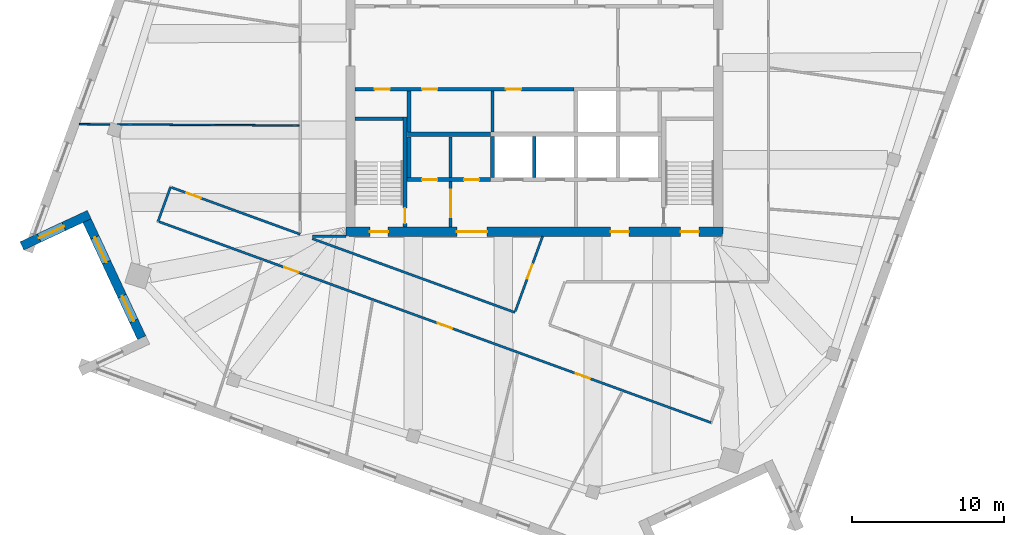
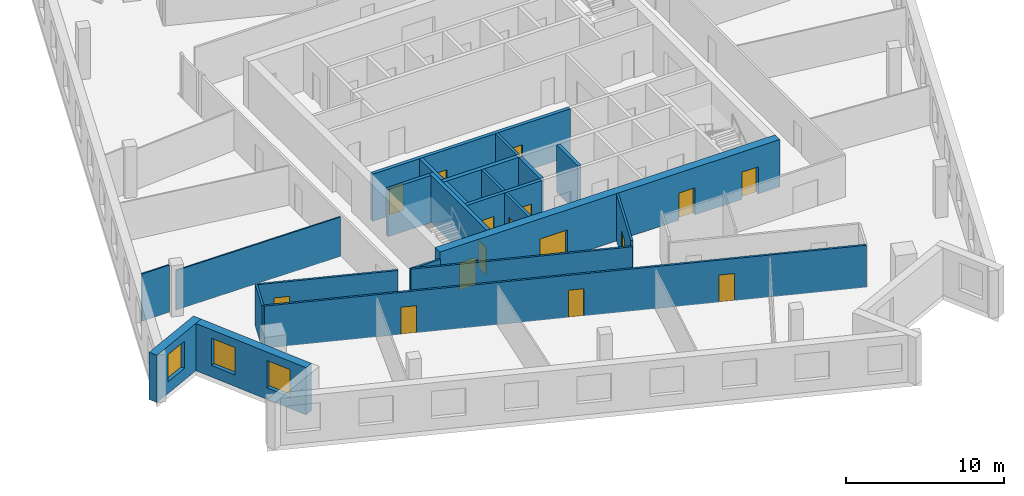
# One storey, part 6 of 13: 23 walls, 16 doors, 3 windows, 19 openings.
"""IFC4 building model written with IfcOpenShell, lengths in metres."""

from ifc_helpers import new_model, si_unit, direction, frame, frame_2d, origin, place, context, subcontext, project, spatial, rectangle, extrude, material, layer, layer_set, type_object, element, fill, save


model = new_model("IFC4")

# Units and contexts
model_context = context("Model", 3, precision=1e-05, world=origin(), true_north=direction((0.0, 1.0)))
body_context = subcontext(model_context, "Body", "Model", "MODEL_VIEW")
ifc_project = project(units=[si_unit("LENGTHUNIT", "METRE"), si_unit("AREAUNIT", "SQUARE_METRE"), si_unit("VOLUMEUNIT", "CUBIC_METRE"), si_unit("PLANEANGLEUNIT", "RADIAN"), si_unit("MASSUNIT", "GRAM", prefix="KILO")], contexts=[model_context])

# Site, building, storey
site_placement = place(None, origin())
site = spatial("IfcSite", under=ifc_project, at=site_placement, CompositionType="ELEMENT")
building_placement = place(site_placement, origin())
building = spatial("IfcBuilding", under=site, at=building_placement, Name="Dilmun Exchange Tower", CompositionType="ELEMENT")
storey_placement = place(building_placement, frame((0.0, 0.0, 304.5)))
storey = spatial("IfcBuildingStorey", under=building, at=storey_placement, Name="L72", CompositionType="ELEMENT", Elevation=304.5)

# Wall, opening, door
ifc_material_1 = material(Name="Concrete C40/50", Category="concrete")
ifc_layer_1 = layer(ifc_material_1, 0.199951171875)
ifc_layer_set_1 = layer_set([ifc_layer_1], Name="Concrete C40/50")
wall_type_1 = type_object("IfcWallType", Name="Core partition wall 200", PredefinedType="PARTITIONING", material=ifc_layer_set_1)
wall_1_placement = place(storey_placement, frame((-5.5, -11.794921875, 0.0), z_axis=(0.0, 0.0, 1.0), x_axis=(0.0, 1.0, 0.0)))
wall_1 = element("IfcWall", 1, at=wall_1_placement, inside=storey, type_object=wall_type_1, Name="L72 core partition wall 01", PredefinedType="PARTITIONING", context=body_context, shape_type="SweptSolid", body=[
    extrude(rectangle(XDim=2.989990234375, YDim=0.199951171875, at=frame_2d((1.4951171875, 0.0))), origin(), (0.0, 0.0, 1.0), 3.64990234375),
])
opening_1_placement = place(wall_1_placement, frame((0.657470703125, 0.0, 0.0)))
opening_1 = element("IfcOpeningElement", 2, at=opening_1_placement, cuts=wall_1, Name="Opening CD5", PredefinedType="OPENING", context=body_context, shape_type="SweptSolid", body=[
    extrude(rectangle(XDim=1.800048828125, YDim=2.10009765625, at=frame_2d((0.89990234375, 1.050048828125))), frame((0.0, 0.10986328125, 0.0), z_axis=(0.0, -1.0, 0.0), x_axis=(1.0, 0.0, 0.0)), (0.0, 0.0, 1.0), 0.219970703125),
])
ifc_material_2 = material(Name="Fire-rated steel door set", Category="steel")
door_type_1 = type_object("IfcDoorType", Name="Stair exit door 1800x2100", OperationType="SINGLE_SWING_LEFT", PredefinedType="DOOR", material=ifc_material_2)
door_1_placement = place(opening_1_placement, origin())
door_1 = element("IfcDoor", 3, at=door_1_placement, inside=storey, type_object=door_type_1, Name="L72 door Service lobby east", OperationType="SINGLE_SWING_LEFT", OverallHeight=2.10009765625, OverallWidth=1.800048828125, PredefinedType="DOOR", context=body_context, shape_type="SweptSolid", body=[
    extrude(rectangle(XDim=1.800048828125, YDim=2.10009765625, at=frame_2d((0.89990234375, 1.050048828125))), frame((0.0, 0.02490234375, 0.0), z_axis=(0.0, -1.0, 0.0), x_axis=(1.0, 0.0, 0.0)), (0.0, 0.0, 1.0), 0.050048828125),
])
fill(opening_1, door_1)

# Walls
for number, where, z_axis, x_axis, name in (
    (4, (-5.5, -8.544921875, 0.0), (0.0, 0.0, 1.0), (0.0, 1.0, 0.0), "L72 core partition wall 05"),
    (5, (-2.75, -5.544921875, 0.0), (0.0, 0.0, 1.0), (0.0, 1.0, 0.0), "L72 core partition wall 08"),
):
    element("IfcWall", number, at=place(storey_placement, frame(where, z_axis=z_axis, x_axis=x_axis)), inside=storey, type_object=wall_type_1, Name=name, PredefinedType="PARTITIONING", context=body_context, shape_type="SweptSolid", body=[
        extrude(rectangle(XDim=2.68994140625, YDim=0.199951171875, at=frame_2d((1.344970703125, 0.0))), origin(), (0.0, 0.0, 1.0), 3.64990234375),
    ])

# Wall, openings, doors
ifc_layer_2 = layer(ifc_material_1, 0.25)
ifc_layer_set_2 = layer_set([ifc_layer_2], Name="Concrete C40/50")
wall_type_2 = type_object("IfcWallType", Name="Core partition wall 250", PredefinedType="PARTITIONING", material=ifc_layer_set_2)
wall_2_placement = place(storey_placement, frame((-8.3701171875, -8.675048828125, 0.0), z_axis=(0.0, 0.0, 1.0), x_axis=(1.0, 0.0, 0.0)))
wall_2 = element("IfcWall", 6, at=wall_2_placement, inside=storey, type_object=wall_type_2, Name="L72 core partition wall 03", PredefinedType="PARTITIONING", context=body_context, shape_type="SweptSolid", body=[
    extrude(rectangle(XDim=5.490234375, YDim=0.25, at=frame_2d((2.7451171875, 0.0))), origin(), (0.0, 0.0, 1.0), 3.64990234375),
])
opening_2_placement = place(wall_2_placement, frame((0.9951171875, 0.0, 0.0)))
opening_2 = element("IfcOpeningElement", 7, at=opening_2_placement, cuts=wall_2, Name="Opening CD4", PredefinedType="OPENING", context=body_context, shape_type="SweptSolid", body=[
    extrude(rectangle(XDim=1.0, YDim=2.10009765625, at=frame_2d((0.5, 1.050048828125))), frame((0.0, 0.135009765625, 0.0), z_axis=(0.0, -1.0, 0.0), x_axis=(1.0, 0.0, 0.0)), (0.0, 0.0, 1.0), 0.27001953125),
])
opening_3_placement = place(wall_2_placement, frame((3.7451171875, 0.0, 0.0)))
opening_3 = element("IfcOpeningElement", 8, at=opening_3_placement, cuts=wall_2, Name="Opening CD4", PredefinedType="OPENING", context=body_context, shape_type="SweptSolid", body=[
    extrude(rectangle(XDim=1.0, YDim=2.10009765625, at=frame_2d((0.5, 1.050048828125))), frame((0.0, 0.135009765625, 0.0), z_axis=(0.0, -1.0, 0.0), x_axis=(1.0, 0.0, 0.0)), (0.0, 0.0, 1.0), 0.27001953125),
])
door_type_2 = type_object("IfcDoorType", Name="Core room door 1000x2100", OperationType="SINGLE_SWING_LEFT", PredefinedType="DOOR", material=ifc_material_2)
door_2_placement = place(opening_2_placement, origin())
door_2 = element("IfcDoor", 9, at=door_2_placement, inside=storey, type_object=door_type_2, Name="L72 door Male WC", OperationType="SINGLE_SWING_LEFT", OverallHeight=2.10009765625, OverallWidth=1.0, PredefinedType="DOOR", context=body_context, shape_type="SweptSolid", body=[
    extrude(rectangle(XDim=1.0, YDim=2.10009765625, at=frame_2d((0.5, 1.050048828125))), frame((0.0, 0.02490234375, 0.0), z_axis=(0.0, -1.0, 0.0), x_axis=(1.0, 0.0, 0.0)), (0.0, 0.0, 1.0), 0.050048828125),
])
fill(opening_2, door_2)
door_3_placement = place(opening_3_placement, origin())
door_3 = element("IfcDoor", 10, at=door_3_placement, inside=storey, type_object=door_type_2, Name="L72 door Female WC", OperationType="SINGLE_SWING_LEFT", OverallHeight=2.10009765625, OverallWidth=1.0, PredefinedType="DOOR", context=body_context, shape_type="SweptSolid", body=[
    extrude(rectangle(XDim=1.0, YDim=2.10009765625, at=frame_2d((0.5, 1.050048828125))), frame((0.0, 0.02490234375, 0.0), z_axis=(0.0, -1.0, 0.0), x_axis=(1.0, 0.0, 0.0)), (0.0, 0.0, 1.0), 0.050048828125),
])
fill(opening_3, door_3)

# Walls
for number, where, z_axis, x_axis, name in (
    (11, (-8.25, -8.544921875, 0.0), (0.0, 0.0, 1.0), (0.0, 1.0, 0.0), "L72 core partition wall 04"),
    (12, (-8.25, -5.544921875, 0.0), (0.0, 0.0, 1.0), (0.0, 1.0, 0.0), "L72 core partition wall 07"),
):
    element("IfcWall", number, at=place(storey_placement, frame(where, z_axis=z_axis, x_axis=x_axis)), inside=storey, type_object=wall_type_2, Name=name, PredefinedType="PARTITIONING", context=body_context, shape_type="SweptSolid", body=[
        extrude(rectangle(XDim=2.68994140625, YDim=0.25, at=frame_2d((1.344970703125, 0.0))), origin(), (0.0, 0.0, 1.0), 3.64990234375),
    ])

# Wall, openings, doors
wall_3_placement = place(storey_placement, frame((-11.794921875, -2.72509765625, 0.0), z_axis=(0.0, 0.0, 1.0), x_axis=(1.0, 0.0, 0.0)))
wall_3 = element("IfcWall", 13, at=wall_3_placement, inside=storey, type_object=wall_type_2, Name="L72 core partition wall 10", PredefinedType="PARTITIONING", context=body_context, shape_type="SweptSolid", body=[
    extrude(rectangle(XDim=14.4150390625, YDim=0.25, at=frame_2d((7.20751953125, 0.0))), origin(), (0.0, 0.0, 1.0), 3.64990234375),
])
opening_4_placement = place(wall_3_placement, frame((1.294921875, 0.0, 0.0)))
opening_4 = element("IfcOpeningElement", 14, at=opening_4_placement, cuts=wall_3, Name="Opening CD4", PredefinedType="OPENING", context=body_context, shape_type="SweptSolid", body=[
    extrude(rectangle(XDim=1.0, YDim=2.10009765625, at=frame_2d((0.5, 1.050048828125))), frame((0.0, 0.135009765625, 0.0), z_axis=(0.0, -1.0, 0.0), x_axis=(1.0, 0.0, 0.0)), (0.0, 0.0, 1.0), 0.27001953125),
])
opening_5_placement = place(wall_3_placement, frame((4.419921875, 0.0, 0.0)))
opening_5 = element("IfcOpeningElement", 15, at=opening_5_placement, cuts=wall_3, Name="Opening CD4", PredefinedType="OPENING", context=body_context, shape_type="SweptSolid", body=[
    extrude(rectangle(XDim=1.0, YDim=2.10009765625, at=frame_2d((0.5, 1.050048828125))), frame((0.0, 0.135009765625, 0.0), z_axis=(0.0, -1.0, 0.0), x_axis=(1.0, 0.0, 0.0)), (0.0, 0.0, 1.0), 0.27001953125),
])
opening_6_placement = place(wall_3_placement, frame((9.919921875, 0.0, 0.0)))
opening_6 = element("IfcOpeningElement", 16, at=opening_6_placement, cuts=wall_3, Name="Opening CD4", PredefinedType="OPENING", context=body_context, shape_type="SweptSolid", body=[
    extrude(rectangle(XDim=1.0, YDim=2.10009765625, at=frame_2d((0.5, 1.050048828125))), frame((0.0, 0.135009765625, 0.0), z_axis=(0.0, -1.0, 0.0), x_axis=(1.0, 0.0, 0.0)), (0.0, 0.0, 1.0), 0.27001953125),
])
door_4_placement = place(opening_4_placement, origin())
door_4 = element("IfcDoor", 17, at=door_4_placement, inside=storey, type_object=door_type_2, Name="L72 door Accessible WC", OperationType="SINGLE_SWING_LEFT", OverallHeight=2.10009765625, OverallWidth=1.0, PredefinedType="DOOR", context=body_context, shape_type="SweptSolid", body=[
    extrude(rectangle(XDim=1.0, YDim=2.10009765625, at=frame_2d((0.5, 1.050048828125))), frame((0.0, 0.02490234375, 0.0), z_axis=(0.0, -1.0, 0.0), x_axis=(1.0, 0.0, 0.0)), (0.0, 0.0, 1.0), 0.050048828125),
])
fill(opening_4, door_4)
door_5_placement = place(opening_5_placement, origin())
door_5 = element("IfcDoor", 18, at=door_5_placement, inside=storey, type_object=door_type_2, Name="L72 door Mechanical room", OperationType="SINGLE_SWING_LEFT", OverallHeight=2.10009765625, OverallWidth=1.0, PredefinedType="DOOR", context=body_context, shape_type="SweptSolid", body=[
    extrude(rectangle(XDim=1.0, YDim=2.10009765625, at=frame_2d((0.5, 1.050048828125))), frame((0.0, 0.02490234375, 0.0), z_axis=(0.0, -1.0, 0.0), x_axis=(1.0, 0.0, 0.0)), (0.0, 0.0, 1.0), 0.050048828125),
])
fill(opening_5, door_5)
door_6_placement = place(opening_6_placement, origin())
door_6 = element("IfcDoor", 19, at=door_6_placement, inside=storey, type_object=door_type_2, Name="L72 door Tenant services room", OperationType="SINGLE_SWING_LEFT", OverallHeight=2.10009765625, OverallWidth=1.0, PredefinedType="DOOR", context=body_context, shape_type="SweptSolid", body=[
    extrude(rectangle(XDim=1.0, YDim=2.10009765625, at=frame_2d((0.5, 1.050048828125))), frame((0.0, 0.02490234375, 0.0), z_axis=(0.0, -1.0, 0.0), x_axis=(1.0, 0.0, 0.0)), (0.0, 0.0, 1.0), 0.050048828125),
])
fill(opening_6, door_6)

# Wall
ifc_layer_3 = layer(ifc_material_1, 0.300048828125)
ifc_layer_set_3 = layer_set([ifc_layer_3], Name="Concrete C40/50")
wall_type_3 = type_object("IfcWallType", Name="Core partition wall 300", PredefinedType="PARTITIONING", material=ifc_layer_set_3)
wall_4_placement = place(storey_placement, frame((-8.35009765625, -5.699951171875, 0.0), z_axis=(0.0, 0.0, 1.0), x_axis=(1.0, 0.0, 0.0)))
element("IfcWall", 20, at=wall_4_placement, inside=storey, type_object=wall_type_3, Name="L72 core partition wall 06", PredefinedType="PARTITIONING", context=body_context, shape_type="SweptSolid", body=[
    extrude(rectangle(XDim=5.47021484375, YDim=0.300048828125, at=frame_2d((2.735107421875, 0.0))), origin(), (0.0, 0.0, 1.0), 3.64990234375),
])

# Wall, openings, doors
ifc_material_3 = material(Name="Concrete C50/60", Category="concrete")
ifc_layer_4 = layer(ifc_material_3, 0.60009765625)
ifc_layer_set_4 = layer_set([ifc_layer_4], Name="Concrete C50/60")
wall_type_4 = type_object("IfcWallType", Name="Core shear wall 600 Concrete C50/60", PredefinedType="SHEAR", material=ifc_layer_set_4)
wall_5_placement = place(storey_placement, frame((-12.39990234375, -12.10009765625, 0.0), z_axis=(0.0, 0.0, 1.0), x_axis=(1.0, 0.0, 0.0)))
wall_5 = element("IfcWall", 21, at=wall_5_placement, inside=storey, type_object=wall_type_4, Name="L72 core shear wall S", PredefinedType="SHEAR", context=body_context, shape_type="SweptSolid", body=[
    extrude(rectangle(XDim=24.7998046875, YDim=0.60009765625, at=frame_2d((12.39990234375, 0.0))), origin(), (0.0, 0.0, 1.0), 3.64990234375),
])
opening_7_placement = place(wall_5_placement, frame((7.300048828125, 0.0, 0.0)))
opening_7 = element("IfcOpeningElement", 22, at=opening_7_placement, cuts=wall_5, Name="Opening CD2", PredefinedType="OPENING", context=body_context, shape_type="SweptSolid", body=[
    extrude(rectangle(XDim=2.0, YDim=2.10009765625, at=frame_2d((1.0, 1.050048828125))), frame((0.0, 0.31005859375, 0.0), z_axis=(0.0, -1.0, 0.0), x_axis=(1.0, 0.0, 0.0)), (0.0, 0.0, 1.0), 0.6201171875),
])
opening_8_placement = place(wall_5_placement, frame((17.425048828125, 0.0, 0.0)))
opening_8 = element("IfcOpeningElement", 23, at=opening_8_placement, cuts=wall_5, Name="Opening CD3", PredefinedType="OPENING", context=body_context, shape_type="SweptSolid", body=[
    extrude(rectangle(XDim=1.199951171875, YDim=2.10009765625, at=frame_2d((0.60009765625, 1.050048828125))), frame((0.0, 0.31005859375, 0.0), z_axis=(0.0, -1.0, 0.0), x_axis=(1.0, 0.0, 0.0)), (0.0, 0.0, 1.0), 0.6201171875),
])
opening_9_placement = place(wall_5_placement, frame((1.574951171875, 0.0, 0.0)))
opening_9 = element("IfcOpeningElement", 24, at=opening_9_placement, cuts=wall_5, Name="Opening CD3", PredefinedType="OPENING", context=body_context, shape_type="SweptSolid", body=[
    extrude(rectangle(XDim=1.199951171875, YDim=2.10009765625, at=frame_2d((0.60009765625, 1.050048828125))), frame((0.0, 0.31005859375, 0.0), z_axis=(0.0, -1.0, 0.0), x_axis=(1.0, 0.0, 0.0)), (0.0, 0.0, 1.0), 0.6201171875),
])
opening_10_placement = place(wall_5_placement, frame((22.02490234375, 0.0, 0.0)))
opening_10 = element("IfcOpeningElement", 25, at=opening_10_placement, cuts=wall_5, Name="Opening CD3", PredefinedType="OPENING", context=body_context, shape_type="SweptSolid", body=[
    extrude(rectangle(XDim=1.199951171875, YDim=2.10009765625, at=frame_2d((0.60009765625, 1.050048828125))), frame((0.0, 0.31005859375, 0.0), z_axis=(0.0, -1.0, 0.0), x_axis=(1.0, 0.0, 0.0)), (0.0, 0.0, 1.0), 0.6201171875),
])
door_type_3 = type_object("IfcDoorType", Name="Core service door 2000x2100", OperationType="DOUBLE_DOOR_DOUBLE_SWING", PredefinedType="DOOR", material=ifc_material_2)
door_7_placement = place(opening_7_placement, origin())
door_7 = element("IfcDoor", 26, at=door_7_placement, inside=storey, type_object=door_type_3, Name="L72 door South service lobby", OperationType="SINGLE_SWING_LEFT", OverallHeight=2.10009765625, OverallWidth=2.0, PredefinedType="DOOR", context=body_context, shape_type="SweptSolid", body=[
    extrude(rectangle(XDim=2.0, YDim=2.10009765625, at=frame_2d((1.0, 1.050048828125))), frame((0.0, 0.02490234375, 0.0), z_axis=(0.0, -1.0, 0.0), x_axis=(1.0, 0.0, 0.0)), (0.0, 0.0, 1.0), 0.050048828125),
])
fill(opening_7, door_7)
door_type_4 = type_object("IfcDoorType", Name="Stair exit door 1200x2100", OperationType="SINGLE_SWING_LEFT", PredefinedType="DOOR", material=ifc_material_2)
door_8_placement = place(opening_8_placement, origin())
door_8 = element("IfcDoor", 27, at=door_8_placement, inside=storey, type_object=door_type_4, Name="L72 door Fire-fighting lobby", OperationType="SINGLE_SWING_LEFT", OverallHeight=2.10009765625, OverallWidth=1.199951171875, PredefinedType="DOOR", context=body_context, shape_type="SweptSolid", body=[
    extrude(rectangle(XDim=1.199951171875, YDim=2.10009765625, at=frame_2d((0.60009765625, 1.050048828125))), frame((0.0, 0.02490234375, 0.0), z_axis=(0.0, -1.0, 0.0), x_axis=(1.0, 0.0, 0.0)), (0.0, 0.0, 1.0), 0.050048828125),
])
fill(opening_8, door_8)
door_9_placement = place(opening_9_placement, origin())
door_9 = element("IfcDoor", 28, at=door_9_placement, inside=storey, type_object=door_type_4, Name="L72 door Stair ST2", OperationType="SINGLE_SWING_LEFT", OverallHeight=2.10009765625, OverallWidth=1.199951171875, PredefinedType="DOOR", context=body_context, shape_type="SweptSolid", body=[
    extrude(rectangle(XDim=1.199951171875, YDim=2.10009765625, at=frame_2d((0.60009765625, 1.050048828125))), frame((0.0, 0.02490234375, 0.0), z_axis=(0.0, -1.0, 0.0), x_axis=(1.0, 0.0, 0.0)), (0.0, 0.0, 1.0), 0.050048828125),
])
fill(opening_9, door_9)
door_10_placement = place(opening_10_placement, origin())
door_10 = element("IfcDoor", 29, at=door_10_placement, inside=storey, type_object=door_type_4, Name="L72 door Stair ST3", OperationType="SINGLE_SWING_LEFT", OverallHeight=2.10009765625, OverallWidth=1.199951171875, PredefinedType="DOOR", context=body_context, shape_type="SweptSolid", body=[
    extrude(rectangle(XDim=1.199951171875, YDim=2.10009765625, at=frame_2d((0.60009765625, 1.050048828125))), frame((0.0, 0.02490234375, 0.0), z_axis=(0.0, -1.0, 0.0), x_axis=(1.0, 0.0, 0.0)), (0.0, 0.0, 1.0), 0.050048828125),
])
fill(opening_10, door_10)

# Wall
ifc_material_4 = material(Name="Corridor wall 150")
ifc_layer_5 = layer(ifc_material_4, 0.14990234375)
ifc_layer_set_5 = layer_set([ifc_layer_5], Name="Corridor wall 150")
wall_type_5 = type_object("IfcWallType", Name="Corridor wall 150", PredefinedType="PARTITIONING", material=ifc_layer_set_5)
wall_6_placement = place(storey_placement, frame((-24.75, -11.4189453125, 0.0), z_axis=(0.0, 0.0, 1.0), x_axis=(0.342143298706, 0.939647786753, 0.0)))
element("IfcWall", 30, at=wall_6_placement, inside=storey, type_object=wall_type_5, Name="Corridor wall", PredefinedType="PARTITIONING", context=body_context, shape_type="SweptSolid", body=[
    extrude(rectangle(XDim=2.399658203125, YDim=0.14990234375, at=frame_2d((1.19970703125, 0.0))), origin(), (0.0, 0.0, 1.0), 3.25),
])

# Wall, openings, doors
wall_7_placement = place(storey_placement, frame((-24.679443359375, -11.444580078125, 0.0), z_axis=(0.0, 0.0, 1.0), x_axis=(0.939685239834, -0.342040421645, 0.0)))
wall_7 = element("IfcWall", 31, at=wall_7_placement, inside=storey, type_object=wall_type_5, Name="Corridor wall", PredefinedType="PARTITIONING", context=body_context, shape_type="SweptSolid", body=[
    extrude(rectangle(XDim=38.628173828125, YDim=0.14990234375, at=frame_2d((19.31396484375, 0.0))), origin(), (0.0, 0.0, 1.0), 3.25),
])
opening_11_placement = place(wall_7_placement, frame((8.764404296875, 0.0, 0.0)))
opening_11 = element("IfcOpeningElement", 32, at=opening_11_placement, cuts=wall_7, Name="Opening TF72-D05", PredefinedType="OPENING", context=body_context, shape_type="SweptSolid", body=[
    extrude(rectangle(XDim=1.0, YDim=2.10009765625, at=frame_2d((0.5, 1.050048828125))), frame((0.0, 0.0849609375, 0.0), z_axis=(0.0, -1.0, 0.0), x_axis=(1.0, 0.0, 0.0)), (0.0, 0.0, 1.0), 0.169921875),
])
opening_12_placement = place(wall_7_placement, frame((19.5029296875, 0.0, 0.0)))
opening_12 = element("IfcOpeningElement", 33, at=opening_12_placement, cuts=wall_7, Name="Opening TF72-D08", PredefinedType="OPENING", context=body_context, shape_type="SweptSolid", body=[
    extrude(rectangle(XDim=1.0, YDim=2.10009765625, at=frame_2d((0.5, 1.050048828125))), frame((0.0, 0.0849609375, 0.0), z_axis=(0.0, -1.0, 0.0), x_axis=(1.0, 0.0, 0.0)), (0.0, 0.0, 1.0), 0.169921875),
])
opening_13_placement = place(wall_7_placement, frame((29.162841796875, 0.0, 0.0)))
opening_13 = element("IfcOpeningElement", 34, at=opening_13_placement, cuts=wall_7, Name="Opening TF72-D11", PredefinedType="OPENING", context=body_context, shape_type="SweptSolid", body=[
    extrude(rectangle(XDim=1.0, YDim=2.10009765625, at=frame_2d((0.5, 1.050048828125))), frame((0.0, 0.0849609375, 0.0), z_axis=(0.0, -1.0, 0.0), x_axis=(1.0, 0.0, 0.0)), (0.0, 0.0, 1.0), 0.169921875),
])
ifc_material_5 = material(Name="Fire door 1000 x 2100")
door_type_5 = type_object("IfcDoorType", Name="Fire door 1000 x 2100", OperationType="NOTDEFINED", PredefinedType="DOOR", material=ifc_material_5)
door_11_placement = place(opening_11_placement, frame((1.0, 0.0, 0.0), z_axis=(0.0, 0.0, 1.0), x_axis=(-1.0, 0.0, 0.0)))
door_11 = element("IfcDoor", 35, at=door_11_placement, inside=storey, type_object=door_type_5, Name="Door TF72-D05", OperationType="SINGLE_SWING_LEFT", OverallHeight=2.10009765625, OverallWidth=1.0, PredefinedType="DOOR", context=body_context, shape_type="SweptSolid", body=[
    extrude(rectangle(XDim=1.0, YDim=2.10009765625, at=frame_2d((0.5, 1.050048828125))), frame((0.0, 0.02490234375, 0.0), z_axis=(0.0, -1.0, 0.0), x_axis=(1.0, 0.0, 0.0)), (0.0, 0.0, 1.0), 0.050048828125),
])
fill(opening_11, door_11)
door_12_placement = place(opening_12_placement, frame((1.0, 0.0, 0.0), z_axis=(0.0, 0.0, 1.0), x_axis=(-1.0, 0.0, 0.0)))
door_12 = element("IfcDoor", 36, at=door_12_placement, inside=storey, type_object=door_type_5, Name="Door TF72-D08", OperationType="SINGLE_SWING_LEFT", OverallHeight=2.10009765625, OverallWidth=1.0, PredefinedType="DOOR", context=body_context, shape_type="SweptSolid", body=[
    extrude(rectangle(XDim=1.0, YDim=2.10009765625, at=frame_2d((0.5, 1.050048828125))), frame((0.0, 0.02490234375, 0.0), z_axis=(0.0, -1.0, 0.0), x_axis=(1.0, 0.0, 0.0)), (0.0, 0.0, 1.0), 0.050048828125),
])
fill(opening_12, door_12)
door_13_placement = place(opening_13_placement, frame((1.0, 0.0, 0.0), z_axis=(0.0, 0.0, 1.0), x_axis=(-1.0, 0.0, 0.0)))
door_13 = element("IfcDoor", 37, at=door_13_placement, inside=storey, type_object=door_type_5, Name="Door TF72-D11", OperationType="SINGLE_SWING_RIGHT", OverallHeight=2.10009765625, OverallWidth=1.0, PredefinedType="DOOR", context=body_context, shape_type="SweptSolid", body=[
    extrude(rectangle(XDim=1.0, YDim=2.10009765625, at=frame_2d((0.5, 1.050048828125))), frame((0.0, 0.02490234375, 0.0), z_axis=(0.0, -1.0, 0.0), x_axis=(1.0, 0.0, 0.0)), (0.0, 0.0, 1.0), 0.050048828125),
])
fill(opening_13, door_13)

# Wall, opening, door
wall_8_placement = place(storey_placement, frame((-23.8583984375, -9.189697265625, 0.0), z_axis=(0.0, 0.0, 1.0), x_axis=(0.939702320302, -0.341993492948, 0.0)))
wall_8 = element("IfcWall", 38, at=wall_8_placement, inside=storey, type_object=wall_type_5, Name="Corridor wall", PredefinedType="PARTITIONING", context=body_context, shape_type="SweptSolid", body=[
    extrude(rectangle(XDim=9.001220703125, YDim=0.14990234375, at=frame_2d((4.50048828125, 0.0))), origin(), (0.0, 0.0, 1.0), 3.25),
])
opening_14_placement = place(wall_8_placement, frame((1.050048828125, 0.0, 0.0)))
opening_14 = element("IfcOpeningElement", 39, at=opening_14_placement, cuts=wall_8, Name="Opening TF72-D02", PredefinedType="OPENING", context=body_context, shape_type="SweptSolid", body=[
    extrude(rectangle(XDim=1.0, YDim=2.10009765625, at=frame_2d((0.5, 1.050048828125))), frame((0.0, 0.0849609375, 0.0), z_axis=(0.0, -1.0, 0.0), x_axis=(1.0, 0.0, 0.0)), (0.0, 0.0, 1.0), 0.169921875),
])
door_14_placement = place(opening_14_placement, origin())
door_14 = element("IfcDoor", 40, at=door_14_placement, inside=storey, type_object=door_type_5, Name="Door TF72-D02", OperationType="SINGLE_SWING_LEFT", OverallHeight=2.10009765625, OverallWidth=1.0, PredefinedType="DOOR", context=body_context, shape_type="SweptSolid", body=[
    extrude(rectangle(XDim=1.0, YDim=2.10009765625, at=frame_2d((0.5, 1.050048828125))), frame((0.0, 0.02490234375, 0.0), z_axis=(0.0, -1.0, 0.0), x_axis=(1.0, 0.0, 0.0)), (0.0, 0.0, 1.0), 0.050048828125),
])
fill(opening_14, door_14)

# Walls
wall_9_placement = place(storey_placement, frame((-14.60400390625, -12.55810546875, 0.0), z_axis=(0.0, 0.0, 1.0), x_axis=(0.93968732693, -0.342034687724, 0.0)))
element("IfcWall", 41, at=wall_9_placement, inside=storey, type_object=wall_type_5, Name="Corridor wall", PredefinedType="PARTITIONING", context=body_context, shape_type="SweptSolid", body=[
    extrude(rectangle(XDim=14.182373046875, YDim=0.14990234375, at=frame_2d((7.09130859375, 0.0))), origin(), (0.0, 0.0, 1.0), 3.25),
])
wall_10_placement = place(storey_placement, frame((-14.575927734375, -12.39990234375, 0.0), z_axis=(0.0, 0.0, 1.0), x_axis=(1.0, 0.0, 0.0)))
element("IfcWall", 42, at=wall_10_placement, inside=storey, type_object=wall_type_5, Name="Corridor wall", PredefinedType="PARTITIONING", context=body_context, shape_type="SweptSolid", body=[
    extrude(rectangle(XDim=2.176025390625, YDim=0.14990234375, at=frame_2d((1.087890625, 0.0))), origin(), (0.0, 0.0, 1.0), 3.1298828125),
])

# Wall, opening, door
wall_11_placement = place(storey_placement, frame((-1.251220703125, -17.33837890625, 0.0), z_axis=(0.0, 0.0, 1.0), x_axis=(0.341963126629, 0.939713371207, 0.0)))
wall_11 = element("IfcWall", 43, at=wall_11_placement, inside=storey, type_object=wall_type_5, Name="Corridor wall", PredefinedType="PARTITIONING", context=body_context, shape_type="SweptSolid", body=[
    extrude(rectangle(XDim=5.25537109375, YDim=0.14990234375, at=frame_2d((2.627685546875, 0.0))), origin(), (0.0, 0.0, 1.0), 3.64990234375),
])
opening_15_placement = place(wall_11_placement, frame((2.300048828125, 0.0, 0.0)))
opening_15 = element("IfcOpeningElement", 44, at=opening_15_placement, cuts=wall_11, Name="Opening TF72-D09", PredefinedType="OPENING", context=body_context, shape_type="SweptSolid", body=[
    extrude(rectangle(XDim=1.0, YDim=2.10009765625, at=frame_2d((0.5, 1.050048828125))), frame((0.0, 0.0849609375, 0.0), z_axis=(0.0, -1.0, 0.0), x_axis=(1.0, 0.0, 0.0)), (0.0, 0.0, 1.0), 0.169921875),
])
door_15_placement = place(opening_15_placement, origin())
door_15 = element("IfcDoor", 45, at=door_15_placement, inside=storey, type_object=door_type_5, Name="Door TF72-D09", OperationType="SINGLE_SWING_RIGHT", OverallHeight=2.10009765625, OverallWidth=1.0, PredefinedType="DOOR", context=body_context, shape_type="SweptSolid", body=[
    extrude(rectangle(XDim=1.0, YDim=2.10009765625, at=frame_2d((0.5, 1.050048828125))), frame((0.0, 0.02490234375, 0.0), z_axis=(0.0, -1.0, 0.0), x_axis=(1.0, 0.0, 0.0)), (0.0, 0.0, 1.0), 0.050048828125),
])
fill(opening_15, door_15)

# Walls
ifc_layer_6 = layer(ifc_material_1, 0.25)
ifc_layer_set_6 = layer_set([ifc_layer_6], Name="Concrete C40/50")
wall_type_6 = type_object("IfcWallType", Name="Lift shaft wall 250", PredefinedType="SOLIDWALL", material=ifc_layer_set_6)
for number, where, z_axis, x_axis, name in (
    (46, (-2.75, -8.550048828125, 0.0), (0.0, 0.0, 1.0), (0.0, 1.0, 0.0), "L72 lift shaft divider S22"),
    (47, (0.0, -8.550048828125, 0.0), (0.0, 0.0, 1.0), (0.0, 1.0, 0.0), "L72 lift shaft divider S23"),
):
    element("IfcWall", number, at=place(storey_placement, frame(where, z_axis=z_axis, x_axis=x_axis)), inside=storey, type_object=wall_type_6, Name=name, PredefinedType="SOLIDWALL", context=body_context, shape_type="SweptSolid", body=[
        extrude(rectangle(XDim=2.699951171875, YDim=0.25, at=frame_2d((1.35009765625, 0.0))), origin(), (0.0, 0.0, 1.0), 3.64990234375),
    ])
ifc_material_6 = material(Name="Partition 100")
ifc_layer_7 = layer(ifc_material_6, 0.10009765625)
ifc_layer_set_7 = layer_set([ifc_layer_7], Name="Partition 100")
wall_type_7 = type_object("IfcWallType", Name="Partition 100", PredefinedType="PARTITIONING", material=ifc_layer_set_7)
wall_12_placement = place(storey_placement, frame((-29.922119140625, -5.02783203125, 0.0), z_axis=(0.0, 0.0, 1.0), x_axis=(0.999981545668, -0.006075222027, 0.0)))
element("IfcWall", 48, at=wall_12_placement, inside=storey, type_object=wall_type_7, Name="Partition", PredefinedType="PARTITIONING", context=body_context, shape_type="SweptSolid", body=[
    extrude(rectangle(XDim=2.00927734375, YDim=0.10009765625, at=frame_2d((1.004638671875, 0.0))), origin(), (0.0, 0.0, 1.0), 3.64990234375),
])
wall_13_placement = place(storey_placement, frame((-27.428466796875, -5.04296875, 0.0), z_axis=(0.0, 0.0, 1.0), x_axis=(0.999981601259, -0.006066064861, 0.0)))
element("IfcWall", 49, at=wall_13_placement, inside=storey, type_object=wall_type_7, Name="Partition", PredefinedType="PARTITIONING", context=body_context, shape_type="SweptSolid", body=[
    extrude(rectangle(XDim=11.953369140625, YDim=0.10009765625, at=frame_2d((5.9765625, 0.0))), origin(), (0.0, 0.0, 1.0), 3.050048828125),
])

# Wall, opening, window
ifc_material_7 = material(Name="Precast concrete C50/60", Category="concrete")
ifc_layer_8 = layer(ifc_material_7, 0.60009765625)
ifc_layer_set_8 = layer_set([ifc_layer_8], Name="Precast concrete C50/60")
wall_type_8 = type_object("IfcWallType", Name="Precast stone-clad wall 600", PredefinedType="STANDARD", material=ifc_layer_set_8)
wall_14_placement = place(storey_placement, frame((-33.703369140625, -13.036376953125, 0.0), z_axis=(0.0, 0.0, 1.0), x_axis=(0.906306938878, 0.422620080618, 0.0)))
wall_14 = element("IfcWall", 50, at=wall_14_placement, inside=storey, type_object=wall_type_8, Name="Facade wall L72-04", PredefinedType="STANDARD", context=body_context, shape_type="SweptSolid", body=[
    extrude(rectangle(XDim=4.885498046875, YDim=0.60009765625, at=frame_2d((2.44287109375, 0.0))), origin(), (0.0, 0.0, 1.0), 3.64990234375),
])
opening_16_placement = place(wall_14_placement, frame((1.242919921875, 0.0, 0.89990234375)))
opening_16 = element("IfcOpeningElement", 51, at=opening_16_placement, cuts=wall_14, Name="Opening W180-210", PredefinedType="OPENING", context=body_context, shape_type="SweptSolid", body=[
    extrude(rectangle(XDim=1.800048828125, YDim=2.10009765625, at=frame_2d((0.89990234375, 1.050048828125))), frame((0.0, 0.31005859375, 0.0), z_axis=(0.0, -1.0, 0.0), x_axis=(1.0, 0.0, 0.0)), (0.0, 0.0, 1.0), 0.6201171875),
])
ifc_material_8 = material(Name="Clear low-emissivity glass in aluminium frame", Category="aluminium")
window_type = type_object("IfcWindowType", Name="Punched window 1800 x 2100", PartitioningType="DOUBLE_PANEL_VERTICAL", PredefinedType="WINDOW", material=ifc_material_8)
window_1_placement = place(opening_16_placement, origin())
window_1 = element("IfcWindow", 52, at=window_1_placement, inside=storey, type_object=window_type, Name="Window 5.1", OverallHeight=2.10009765625, OverallWidth=1.800048828125, PartitioningType="SINGLE_PANEL", PredefinedType="WINDOW", context=body_context, shape_type="SweptSolid", body=[
    extrude(rectangle(XDim=1.800048828125, YDim=2.10009765625, at=frame_2d((0.89990234375, 1.050048828125))), frame((0.0, 0.030029296875, 0.0), z_axis=(0.0, -1.0, 0.0), x_axis=(1.0, 0.0, 0.0)), (0.0, 0.0, 1.0), 0.06005859375),
])
fill(opening_16, window_1)

# Wall, openings, windows
wall_15_placement = place(storey_placement, frame((-29.420654296875, -11.370361328125, 0.0), z_axis=(0.0, 0.0, 1.0), x_axis=(0.42259769246, -0.906317378365, 0.0)))
wall_15 = element("IfcWall", 53, at=wall_15_placement, inside=storey, type_object=wall_type_8, Name="Facade wall L72-05", PredefinedType="STANDARD", context=body_context, shape_type="SweptSolid", body=[
    extrude(rectangle(XDim=8.5, YDim=0.60009765625, at=frame_2d((4.25, 0.0))), origin(), (0.0, 0.0, 1.0), 3.64990234375),
])
opening_17_placement = place(wall_15_placement, frame((1.22509765625, 0.0, 0.89990234375)))
opening_17 = element("IfcOpeningElement", 54, at=opening_17_placement, cuts=wall_15, Name="Opening W180-210", PredefinedType="OPENING", context=body_context, shape_type="SweptSolid", body=[
    extrude(rectangle(XDim=1.800048828125, YDim=2.10009765625, at=frame_2d((0.89990234375, 1.050048828125))), frame((0.0, 0.31005859375, 0.0), z_axis=(0.0, -1.0, 0.0), x_axis=(1.0, 0.0, 0.0)), (0.0, 0.0, 1.0), 0.6201171875),
])
opening_18_placement = place(wall_15_placement, frame((5.47509765625, 0.0, 0.89990234375)))
opening_18 = element("IfcOpeningElement", 55, at=opening_18_placement, cuts=wall_15, Name="Opening W180-210", PredefinedType="OPENING", context=body_context, shape_type="SweptSolid", body=[
    extrude(rectangle(XDim=1.800048828125, YDim=2.10009765625, at=frame_2d((0.89990234375, 1.050048828125))), frame((0.0, 0.31005859375, 0.0), z_axis=(0.0, -1.0, 0.0), x_axis=(1.0, 0.0, 0.0)), (0.0, 0.0, 1.0), 0.6201171875),
])
window_2_placement = place(opening_17_placement, origin())
window_2 = element("IfcWindow", 56, at=window_2_placement, inside=storey, type_object=window_type, Name="Window 6.1", OverallHeight=2.10009765625, OverallWidth=1.800048828125, PartitioningType="SINGLE_PANEL", PredefinedType="WINDOW", context=body_context, shape_type="SweptSolid", body=[
    extrude(rectangle(XDim=1.800048828125, YDim=2.10009765625, at=frame_2d((0.89990234375, 1.050048828125))), frame((0.0, 0.030029296875, 0.0), z_axis=(0.0, -1.0, 0.0), x_axis=(1.0, 0.0, 0.0)), (0.0, 0.0, 1.0), 0.06005859375),
])
fill(opening_17, window_2)
window_3_placement = place(opening_18_placement, origin())
window_3 = element("IfcWindow", 57, at=window_3_placement, inside=storey, type_object=window_type, Name="Window 6.2", OverallHeight=2.10009765625, OverallWidth=1.800048828125, PartitioningType="SINGLE_PANEL", PredefinedType="WINDOW", context=body_context, shape_type="SweptSolid", body=[
    extrude(rectangle(XDim=1.800048828125, YDim=2.10009765625, at=frame_2d((0.89990234375, 1.050048828125))), frame((0.0, 0.030029296875, 0.0), z_axis=(0.0, -1.0, 0.0), x_axis=(1.0, 0.0, 0.0)), (0.0, 0.0, 1.0), 0.06005859375),
])
fill(opening_18, window_3)

# Wall
ifc_layer_9 = layer(ifc_material_1, 0.25)
ifc_layer_set_9 = layer_set([ifc_layer_9], Name="Concrete C40/50")
wall_type_9 = type_object("IfcWallType", Name="Stair end wall 250", PredefinedType="SOLIDWALL", material=ifc_layer_set_9)
wall_16_placement = place(storey_placement, frame((-8.64990234375, -4.675048828125, 0.0), z_axis=(0.0, 0.0, 1.0), x_axis=(-1.0, 0.0, 0.0)))
element("IfcWall", 58, at=wall_16_placement, inside=storey, type_object=wall_type_9, Name="L72 ST2 far wall", PredefinedType="SOLIDWALL", context=body_context, shape_type="SweptSolid", body=[
    extrude(rectangle(XDim=3.150146484375, YDim=0.25, at=frame_2d((1.5751953125, 0.0))), origin(), (0.0, 0.0, 1.0), 3.64990234375),
])

# Wall, opening, door
ifc_layer_10 = layer(ifc_material_1, 0.27490234375)
ifc_layer_set_10 = layer_set([ifc_layer_10], Name="Concrete C40/50")
wall_type_10 = type_object("IfcWallType", Name="Stair wall 275", PredefinedType="SOLIDWALL", material=ifc_layer_set_10)
wall_17_placement = place(storey_placement, frame((-8.512451171875, -4.550048828125, 0.0), z_axis=(0.0, 0.0, 1.0), x_axis=(0.0, -1.0, 0.0)))
wall_17 = element("IfcWall", 59, at=wall_17_placement, inside=storey, type_object=wall_type_10, Name="L72 ST2 wall to lift block", PredefinedType="SOLIDWALL", context=body_context, shape_type="SweptSolid", body=[
    extrude(rectangle(XDim=7.25, YDim=0.27490234375, at=frame_2d((3.625, 0.0))), origin(), (0.0, 0.0, 1.0), 3.64990234375),
])
opening_19_placement = place(wall_17_placement, frame((6.0, 0.0, 0.0)))
opening_19 = element("IfcOpeningElement", 60, at=opening_19_placement, cuts=wall_17, Name="Opening CD4", PredefinedType="OPENING", context=body_context, shape_type="SweptSolid", body=[
    extrude(rectangle(XDim=1.0, YDim=2.10009765625, at=frame_2d((0.5, 1.050048828125))), frame((0.0, 0.1474609375, 0.0), z_axis=(0.0, -1.0, 0.0), x_axis=(1.0, 0.0, 0.0)), (0.0, 0.0, 1.0), 0.294921875),
])
door_16_placement = place(opening_19_placement, origin())
door_16 = element("IfcDoor", 61, at=door_16_placement, inside=storey, type_object=door_type_2, Name="L72 door ST2 from lobby", OperationType="SINGLE_SWING_LEFT", OverallHeight=2.10009765625, OverallWidth=1.0, PredefinedType="DOOR", context=body_context, shape_type="SweptSolid", body=[
    extrude(rectangle(XDim=1.0, YDim=2.10009765625, at=frame_2d((0.5, 1.050048828125))), frame((0.0, 0.02490234375, 0.0), z_axis=(0.0, -1.0, 0.0), x_axis=(1.0, 0.0, 0.0)), (0.0, 0.0, 1.0), 0.050048828125),
])
fill(opening_19, door_16)

save(model, "model.ifc")
